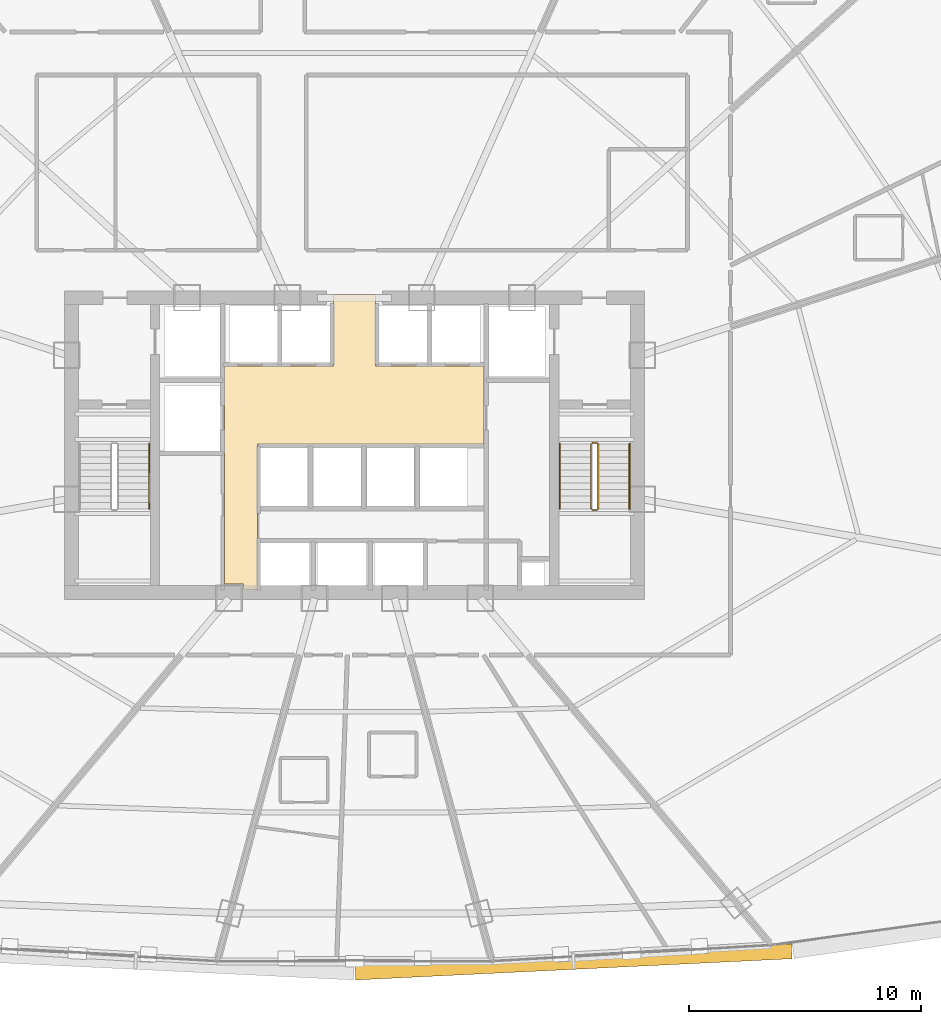
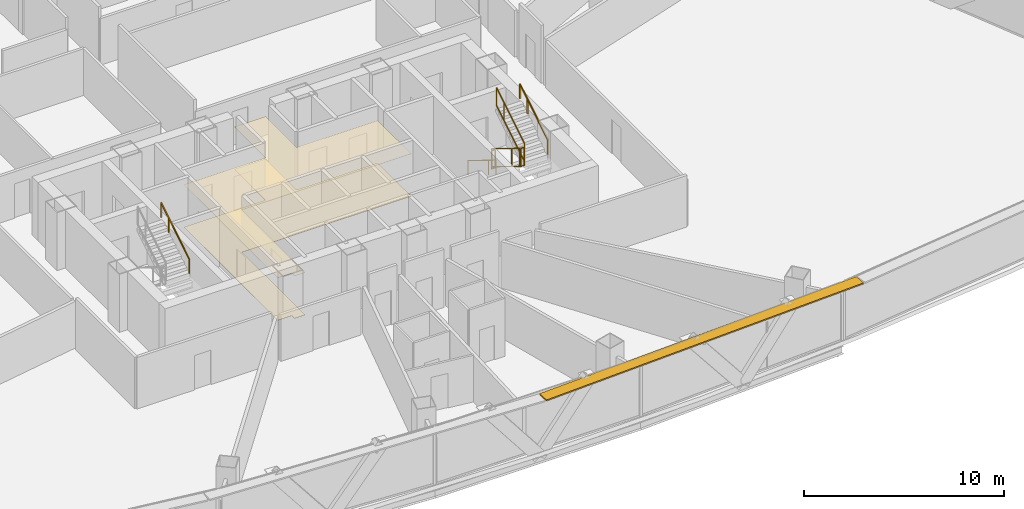
# One storey, part 35 of 37: 7 railings, 2 coverings, 1 shading device.
"""IFC4 building model written with IfcOpenShell, lengths in metres."""

from ifc_helpers import new_model, si_unit, direction, frame, origin, origin_2d, place, context, subcontext, project, spatial, polyline, rectangle, outline, extrude, source, transform, mapped, material, layer, layer_set, type_object, element, save


model = new_model("IFC4")

# Units and contexts
model_context = context("Model", 3, precision=1e-05, world=origin(), true_north=direction((0.0, 1.0)))
body_context = subcontext(model_context, "Body", "Model", "MODEL_VIEW")
ifc_project = project(units=[si_unit("LENGTHUNIT", "METRE"), si_unit("AREAUNIT", "SQUARE_METRE"), si_unit("VOLUMEUNIT", "CUBIC_METRE"), si_unit("PLANEANGLEUNIT", "RADIAN"), si_unit("MASSUNIT", "GRAM", prefix="KILO"), si_unit("THERMODYNAMICTEMPERATUREUNIT", "KELVIN"), si_unit("POWERUNIT", "WATT")], contexts=[model_context])

# Site, building, storey
site_placement = place(None, origin())
site = spatial("IfcSite", under=ifc_project, at=site_placement, CompositionType="ELEMENT")
building_placement = place(site_placement, origin())
building = spatial("IfcBuilding", under=site, at=building_placement, Name="Yunzhuo Pagoda Commons", CompositionType="ELEMENT")
storey_placement = place(building_placement, frame((0.0, 0.0, 88.780029296875)))
storey = spatial("IfcBuildingStorey", under=building, at=storey_placement, Name="L22", CompositionType="ELEMENT", Elevation=88.780029296875)

# Coverings
ifc_material_1 = material(Name="Mineral fibre acoustic ceiling board")
ifc_layer_1 = layer(ifc_material_1, 0.02490234375)
ifc_layer_set_1 = layer_set([ifc_layer_1], Name="Mineral fibre acoustic ceiling board")
covering_type_1 = type_object("IfcCoveringType", Name="COV-CL1 Ceiling 25", PredefinedType="CEILING", material=ifc_layer_set_1)
covering_1_placement = place(storey_placement, frame((0.0, 0.0, 2.590087890625)))
element("IfcCovering", 1, at=covering_1_placement, inside=storey, type_object=covering_type_1, Name="L22 lift lobby acoustic ceiling", PredefinedType="CEILING", context=body_context, shape_type="SweptSolid", body=[
    extrude(outline(polyline([(43.207763671875, 27.85009765625), (43.201904296875, 27.864013671875), (43.187744140625, 27.8701171875), (42.39990234375, 27.8701171875), (42.39990234375, 33.89990234375), (42.39990234375, 37.25), (47.10009765625, 37.25), (47.10009765625, 40.35009765625), (48.89990234375, 40.35009765625), (48.89990234375, 37.25), (53.580078125, 37.25), (53.580078125, 33.89990234375), (43.820068359375, 33.89990234375), (43.820068359375, 27.60009765625), (43.207763671875, 27.60009765625), (43.207763671875, 27.85009765625)])), origin(), (0.0, 0.0, 1.0), 0.02490234375),
])
ifc_material_2 = material(Name="Porcelain ceramic floor tile")
ifc_layer_2 = layer(ifc_material_2, 0.02001953125)
ifc_layer_set_2 = layer_set([ifc_layer_2], Name="Porcelain ceramic floor tile")
covering_type_2 = type_object("IfcCoveringType", Name="COV-FL1 Flooring 20", PredefinedType="FLOORING", material=ifc_layer_set_2)
covering_2_placement = place(storey_placement, origin())
element("IfcCovering", 2, at=covering_2_placement, inside=storey, type_object=covering_type_2, Name="L22 lift lobby flooring", PredefinedType="FLOORING", context=body_context, shape_type="SweptSolid", body=[
    extrude(outline(polyline([(43.207763671875, 27.85009765625), (43.201904296875, 27.864013671875), (43.187744140625, 27.8701171875), (42.39990234375, 27.8701171875), (42.39990234375, 33.89990234375), (42.39990234375, 37.25), (47.10009765625, 37.25), (47.10009765625, 40.35009765625), (48.89990234375, 40.35009765625), (48.89990234375, 37.25), (53.580078125, 37.25), (53.580078125, 33.89990234375), (43.820068359375, 33.89990234375), (43.820068359375, 27.60009765625), (43.207763671875, 27.60009765625), (43.207763671875, 27.85009765625)])), origin(), (0.0, 0.0, 1.0), 0.02001953125),
])

# Railings
ifc_material_3 = material(Name="Anodized aluminium 6063-T6", Category="aluminium")
railing_type_1 = type_object("IfcRailingType", Name="GR-ST2 Stair Well Guardrail 1160", PredefinedType="GUARDRAIL", material=ifc_material_3)
railing_1_placement = place(storey_placement, frame((58.199951171875, 33.89990234375, 0.172607421875)))
element("IfcRailing", 3, at=railing_1_placement, inside=storey, type_object=railing_type_1, Name="L22 ST2 stair guard 1", PredefinedType="GUARDRAIL", context=body_context, shape_type="SweptSolid", body=[
    extrude(rectangle(XDim=0.048095703125, YDim=0.048095703125, at=origin_2d()), frame((0.0, 0.0, 1.1259765625), z_axis=(0.0, -0.851069175582, 0.525053576669), x_axis=(1.0, 0.0, 0.0)), (0.0, 0.0, 1.0), 3.289794921875),
    extrude(rectangle(XDim=0.048095703125, YDim=0.048095703125, at=origin_2d()), frame((0.0, 0.0, 0.02392578125), z_axis=(0.0, -0.851069175582, 0.525053576669), x_axis=(1.0, 0.0, 0.0)), (0.0, 0.0, 1.0), 3.289794921875),
    extrude(rectangle(XDim=0.0419921875, YDim=0.0419921875, at=origin_2d()), origin(), (0.0, 0.0, 1.0), 1.101806640625),
    extrude(rectangle(XDim=0.0419921875, YDim=0.0419921875, at=origin_2d()), frame((0.0, -2.04248046875, 1.260009765625)), (0.0, 0.0, 1.0), 1.101806640625),
    extrude(rectangle(XDim=0.0419921875, YDim=0.0419921875, at=origin_2d()), frame((0.0, -2.7998046875, 1.727294921875)), (0.0, 0.0, 1.0), 1.101806640625),
])
railing_2_placement = place(storey_placement, frame((58.25, 31.050048828125, 1.89990234375)))
element("IfcRailing", 4, at=railing_2_placement, inside=storey, type_object=railing_type_1, Name="L22 ST2 stair guard 2", PredefinedType="GUARDRAIL", context=body_context, shape_type="SweptSolid", body=[
    extrude(rectangle(XDim=0.048095703125, YDim=0.048095703125, at=origin_2d()), frame((0.0, 0.0, 1.1259765625), z_axis=(1.0, 0.0, 0.0), x_axis=(0.0, 1.0, 0.0)), (0.0, 0.0, 1.0), 0.199951171875),
    extrude(rectangle(XDim=0.048095703125, YDim=0.048095703125, at=origin_2d()), frame((0.0, 0.0, 0.02392578125), z_axis=(1.0, 0.0, 0.0), x_axis=(0.0, 1.0, 0.0)), (0.0, 0.0, 1.0), 0.199951171875),
    extrude(rectangle(XDim=0.0419921875, YDim=0.0419921875, at=origin_2d()), origin(), (0.0, 0.0, 1.0), 1.101806640625),
    extrude(rectangle(XDim=0.0419921875, YDim=0.0419921875, at=origin_2d()), frame((0.199951171875, 0.0, 0.0)), (0.0, 0.0, 1.0), 1.101806640625),
])
railing_3_placement = place(storey_placement, frame((58.5, 31.10009765625, 2.07275390625)))
element("IfcRailing", 5, at=railing_3_placement, inside=storey, type_object=railing_type_1, Name="L22 ST2 stair guard 3", PredefinedType="GUARDRAIL", context=body_context, shape_type="SweptSolid", body=[
    extrude(rectangle(XDim=0.048095703125, YDim=0.048095703125, at=origin_2d()), frame((0.0, 0.0, 1.1259765625), z_axis=(0.0, 0.851069175582, 0.525053576669), x_axis=(-1.0, 0.0, 0.0)), (0.0, 0.0, 1.0), 3.289794921875),
    extrude(rectangle(XDim=0.048095703125, YDim=0.048095703125, at=origin_2d()), frame((0.0, 0.0, 0.02392578125), z_axis=(0.0, 0.851069175582, 0.525053576669), x_axis=(-1.0, 0.0, 0.0)), (0.0, 0.0, 1.0), 3.289794921875),
    extrude(rectangle(XDim=0.0419921875, YDim=0.0419921875, at=origin_2d()), origin(), (0.0, 0.0, 1.0), 1.101806640625),
    extrude(rectangle(XDim=0.0419921875, YDim=0.0419921875, at=origin_2d()), frame((0.0, 2.04248046875, 1.260009765625)), (0.0, 0.0, 1.0), 1.101806640625),
    extrude(rectangle(XDim=0.0419921875, YDim=0.0419921875, at=origin_2d()), frame((0.0, 2.7998046875, 1.727294921875)), (0.0, 0.0, 1.0), 1.101806640625),
])
railing_4_placement = place(storey_placement, frame((58.25, 33.949951171875, 0.0)))
element("IfcRailing", 6, at=railing_4_placement, inside=storey, type_object=railing_type_1, Name="L22 ST2 stair guard 4", PredefinedType="GUARDRAIL", context=body_context, shape_type="SweptSolid", body=[
    extrude(rectangle(XDim=0.048095703125, YDim=0.048095703125, at=origin_2d()), frame((0.0, 0.0, 1.1259765625), z_axis=(1.0, 0.0, 0.0), x_axis=(0.0, 1.0, 0.0)), (0.0, 0.0, 1.0), 0.199951171875),
    extrude(rectangle(XDim=0.048095703125, YDim=0.048095703125, at=origin_2d()), frame((0.0, 0.0, 0.02392578125), z_axis=(1.0, 0.0, 0.0), x_axis=(0.0, 1.0, 0.0)), (0.0, 0.0, 1.0), 0.199951171875),
    extrude(rectangle(XDim=0.0419921875, YDim=0.0419921875, at=origin_2d()), origin(), (0.0, 0.0, 1.0), 1.101806640625),
    extrude(rectangle(XDim=0.0419921875, YDim=0.0419921875, at=origin_2d()), frame((0.199951171875, 0.0, 0.0)), (0.0, 0.0, 1.0), 1.101806640625),
])
railing_type_2 = type_object("IfcRailingType", Name="HR-ST1 Stair Handrail 900", PredefinedType="HANDRAIL", material=ifc_material_3)
railing_5_placement = place(storey_placement, frame((39.14990234375, 31.10009765625, 2.07275390625)))
element("IfcRailing", 7, at=railing_5_placement, inside=storey, type_object=railing_type_2, Name="L22 ST1 stair handrail 2", PredefinedType="HANDRAIL", context=body_context, shape_type="SweptSolid", body=[
    extrude(rectangle(XDim=0.048095703125, YDim=0.048095703125, at=origin_2d()), frame((0.0, 0.0, 0.8759765625), z_axis=(0.0, 0.851069175582, 0.525053576669), x_axis=(-1.0, 0.0, 0.0)), (0.0, 0.0, 1.0), 3.289794921875),
    extrude(rectangle(XDim=0.0419921875, YDim=0.0419921875, at=origin_2d()), origin(), (0.0, 0.0, 1.0), 0.851806640625),
    extrude(rectangle(XDim=0.0419921875, YDim=0.0419921875, at=origin_2d()), frame((0.0, 2.04248046875, 1.260009765625)), (0.0, 0.0, 1.0), 0.851806640625),
    extrude(rectangle(XDim=0.0419921875, YDim=0.0419921875, at=origin_2d()), frame((0.0, 2.7998046875, 1.727294921875)), (0.0, 0.0, 1.0), 0.851806640625),
])
railing_type_3 = type_object("IfcRailingType", Name="HR-ST2 Stair Handrail 900", PredefinedType="HANDRAIL", material=ifc_material_3)
railing_6_placement = place(storey_placement, frame((56.85009765625, 33.89990234375, 0.172607421875)))
element("IfcRailing", 8, at=railing_6_placement, inside=storey, type_object=railing_type_3, Name="L22 ST2 stair handrail 1", PredefinedType="HANDRAIL", context=body_context, shape_type="SweptSolid", body=[
    extrude(rectangle(XDim=0.048095703125, YDim=0.048095703125, at=origin_2d()), frame((0.0, 0.0, 0.8759765625), z_axis=(0.0, -0.851069175582, 0.525053576669), x_axis=(1.0, 0.0, 0.0)), (0.0, 0.0, 1.0), 3.289794921875),
    extrude(rectangle(XDim=0.0419921875, YDim=0.0419921875, at=origin_2d()), origin(), (0.0, 0.0, 1.0), 0.851806640625),
    extrude(rectangle(XDim=0.0419921875, YDim=0.0419921875, at=origin_2d()), frame((0.0, -2.04248046875, 1.260009765625)), (0.0, 0.0, 1.0), 0.851806640625),
    extrude(rectangle(XDim=0.0419921875, YDim=0.0419921875, at=origin_2d()), frame((0.0, -2.7998046875, 1.727294921875)), (0.0, 0.0, 1.0), 0.851806640625),
])
railing_7_placement = place(storey_placement, frame((59.85009765625, 31.10009765625, 2.07275390625)))
element("IfcRailing", 9, at=railing_7_placement, inside=storey, type_object=railing_type_3, Name="L22 ST2 stair handrail 2", PredefinedType="HANDRAIL", context=body_context, shape_type="SweptSolid", body=[
    extrude(rectangle(XDim=0.048095703125, YDim=0.048095703125, at=origin_2d()), frame((0.0, 0.0, 0.8759765625), z_axis=(0.0, 0.851069175582, 0.525053576669), x_axis=(-1.0, 0.0, 0.0)), (0.0, 0.0, 1.0), 3.289794921875),
    extrude(rectangle(XDim=0.0419921875, YDim=0.0419921875, at=origin_2d()), origin(), (0.0, 0.0, 1.0), 0.851806640625),
    extrude(rectangle(XDim=0.0419921875, YDim=0.0419921875, at=origin_2d()), frame((0.0, 2.04248046875, 1.260009765625)), (0.0, 0.0, 1.0), 0.851806640625),
    extrude(rectangle(XDim=0.0419921875, YDim=0.0419921875, at=origin_2d()), frame((0.0, 2.7998046875, 1.727294921875)), (0.0, 0.0, 1.0), 0.851806640625),
])

# Shading device
ifc_layer_3 = layer(ifc_material_3, 0.080078125)
ifc_layer_set_3 = layer_set([ifc_layer_3], Name="Anodized aluminium 6063-T6")
shading_device_type = type_object("IfcShadingDeviceType", Name="SH-SUN1 Pagoda Horizontal Sunshade Eave 650", PredefinedType="USERDEFINED", material=ifc_layer_set_3)
shared_shape = source(origin(), body_context, "Body", "SweptSolid", [
    extrude(rectangle(XDim=18.830810546875, YDim=0.64990234375, at=origin_2d()), origin(), (0.0, 0.0, 1.0), 0.080078125),
])
shading_device_placement = place(storey_placement, frame((57.43603515625, 11.57861328125, 3.4599609375), z_axis=(0.0, 0.0, 1.0), x_axis=(0.998818043775, 0.04860571396, 0.0)))
element("IfcShadingDevice", 10, at=shading_device_placement, inside=storey, type_object=shading_device_type, Name="L22 horizontal pagoda sunshade eave F1.3", ObjectType="SUNSHADE", PredefinedType="USERDEFINED", context=body_context, shape_type="MappedRepresentation", body=[
    mapped(shared_shape, transform((0.0, 0.0, 0.0), scale=1.0)),
])

save(model, "model.ifc")
